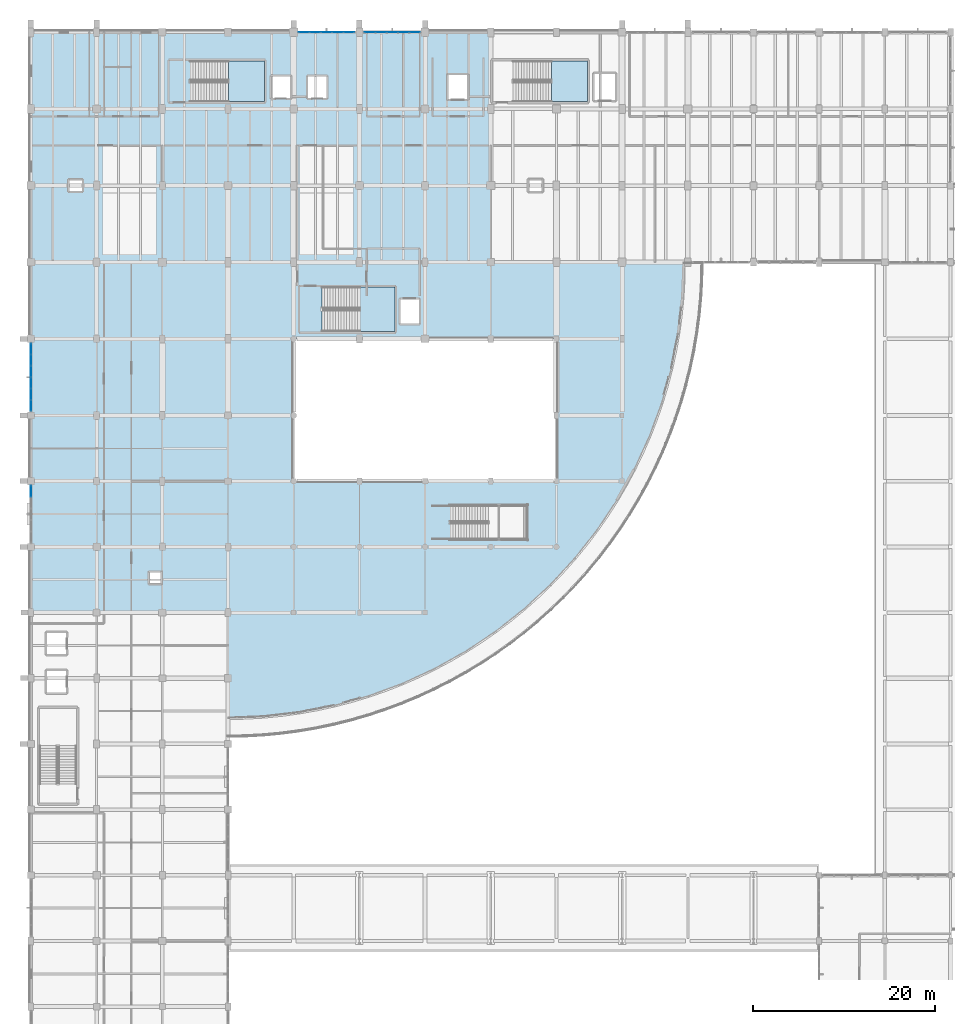
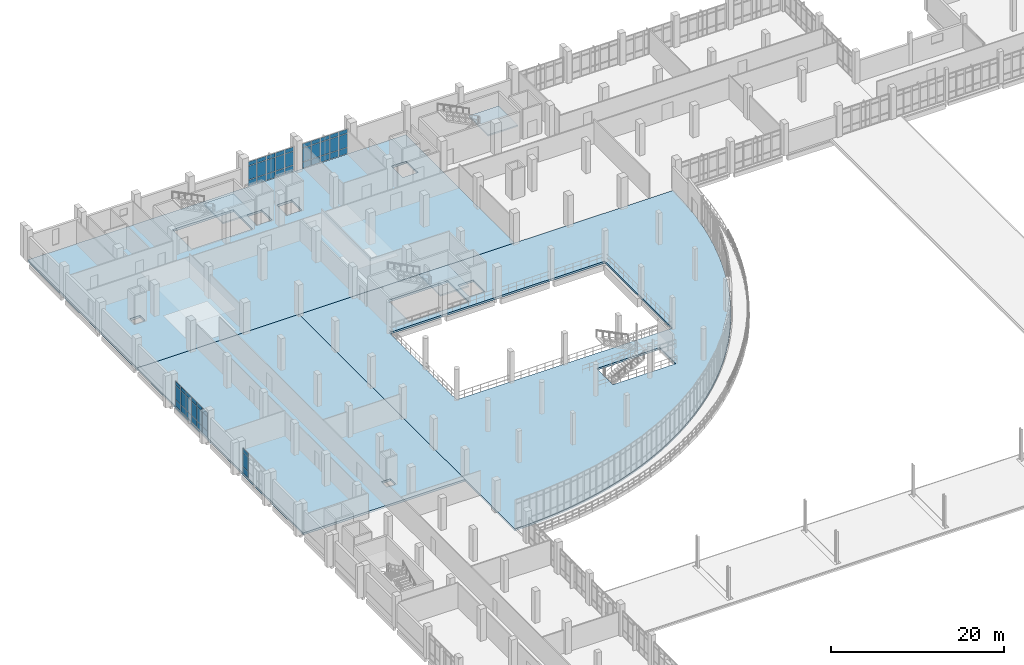
# One storey, part 103 of 134: 51 plates, 6 slabs, 7 elements without a shape of their own.
"""IFC4 building model written with IfcOpenShell, lengths in metres."""

from ifc_helpers import new_model, si_unit, direction, frame, origin, origin_2d, place, context, subcontext, project, spatial, polyline, rectangle, outline, extrude, material, layer, layer_set, type_object, element, aggregate, save


model = new_model("IFC4")

# Units and contexts
model_context = context("Model", 3, precision=1e-05, world=origin(), true_north=direction((0.0, 1.0)))
body_context = subcontext(model_context, "Body", "Model", "MODEL_VIEW")
ifc_project = project(units=[si_unit("LENGTHUNIT", "METRE"), si_unit("AREAUNIT", "SQUARE_METRE"), si_unit("VOLUMEUNIT", "CUBIC_METRE"), si_unit("PLANEANGLEUNIT", "RADIAN"), si_unit("MASSUNIT", "GRAM", prefix="KILO")], contexts=[model_context])

# Site, building, storey
site_placement = place(None, origin())
site = spatial("IfcSite", under=ifc_project, at=site_placement, CompositionType="ELEMENT")
building_placement = place(site_placement, origin())
building = spatial("IfcBuilding", under=site, at=building_placement, Name="Kalluvel Institute of Natural Sciences", CompositionType="ELEMENT")
storey_placement = place(building_placement, frame((0.0, 0.0, 5.39990234375)))
storey = spatial("IfcBuildingStorey", under=building, at=storey_placement, Name="L01", CompositionType="ELEMENT", Elevation=5.39990234375)

# Curtain wall, plates
ifc_material_1 = material(Name="Aluminium AW-6063 T6", Category="aluminium")
curtain_wall_type_1 = type_object("IfcCurtainWallType", Name="CW-WET-45", PredefinedType="USERDEFINED", material=ifc_material_1)
curtain_wall_1_placement = place(storey_placement, origin())
curtain_wall_1 = element("IfcCurtainWall", 1, at=curtain_wall_1_placement, inside=storey, type_object=curtain_wall_type_1, Name="L01 Gothic lancet curtain wall CWA-L01-X433-Y1280", ObjectType="UNITISED LANCET FACADE", PredefinedType="USERDEFINED")
ifc_material_2 = material(Name="Solar-Control Low-E Laminated Glass", Category="glass")
ifc_layer_1 = layer(ifc_material_2, 0.031982421875)
ifc_layer_set_1 = layer_set([ifc_layer_1], Name="Solar-Control Low-E Laminated Glass")
plate_type = type_object("IfcPlateType", Name="CWP-DGU-32", PredefinedType="CURTAIN_PANEL", material=ifc_layer_set_1)
plate_1_placement = place(storey_placement, frame((43.933837890625, 128.0, 0.065185546875), z_axis=(0.0, 0.0, 1.0), x_axis=(1.0, 0.0, 0.0)))
plate_1 = element("IfcPlate", 2, at=plate_1_placement, type_object=plate_type, Name="CW-01 panel 1.1", PredefinedType="CURTAIN_PANEL", context=body_context, shape_type="SweptSolid", body=[
    extrude(rectangle(XDim=1.137451171875, YDim=0.031982421875, at=origin_2d()), origin(), (0.0, 0.0, 1.0), 0.8525390625),
])
plate_2_placement = place(storey_placement, frame((43.933837890625, 128.0, 0.982666015625), z_axis=(0.0, 0.0, 1.0), x_axis=(1.0, 0.0, 0.0)))
plate_2 = element("IfcPlate", 3, at=plate_2_placement, type_object=plate_type, Name="CW-01 panel 1.2", PredefinedType="CURTAIN_PANEL", context=body_context, shape_type="SweptSolid", body=[
    extrude(rectangle(XDim=1.137451171875, YDim=0.031982421875, at=origin_2d()), origin(), (0.0, 0.0, 1.0), 1.9150390625),
])
plate_3_placement = place(storey_placement, frame((43.933837890625, 128.0, 2.96240234375), z_axis=(0.0, 0.0, 1.0), x_axis=(1.0, 0.0, 0.0)))
plate_3 = element("IfcPlate", 4, at=plate_3_placement, type_object=plate_type, Name="CW-01 panel 1.3", PredefinedType="CURTAIN_PANEL", context=body_context, shape_type="SweptSolid", body=[
    extrude(rectangle(XDim=1.137451171875, YDim=0.031982421875, at=origin_2d()), origin(), (0.0, 0.0, 1.0), 0.552490234375),
])
plate_4_placement = place(storey_placement, frame((45.152587890625, 128.0, 0.065185546875), z_axis=(0.0, 0.0, 1.0), x_axis=(1.0, 0.0, 0.0)))
plate_4 = element("IfcPlate", 5, at=plate_4_placement, type_object=plate_type, Name="CW-01 panel 2.1", PredefinedType="CURTAIN_PANEL", context=body_context, shape_type="SweptSolid", body=[
    extrude(rectangle(XDim=1.169921875, YDim=0.031982421875, at=origin_2d()), origin(), (0.0, 0.0, 1.0), 0.8525390625),
])
plate_5_placement = place(storey_placement, frame((45.152587890625, 128.0, 0.982666015625), z_axis=(0.0, 0.0, 1.0), x_axis=(1.0, 0.0, 0.0)))
plate_5 = element("IfcPlate", 6, at=plate_5_placement, type_object=plate_type, Name="CW-01 panel 2.2", PredefinedType="CURTAIN_PANEL", context=body_context, shape_type="SweptSolid", body=[
    extrude(rectangle(XDim=1.169921875, YDim=0.031982421875, at=origin_2d()), origin(), (0.0, 0.0, 1.0), 1.9150390625),
])
plate_6_placement = place(storey_placement, frame((45.152587890625, 128.0, 2.96240234375), z_axis=(0.0, 0.0, 1.0), x_axis=(1.0, 0.0, 0.0)))
plate_6 = element("IfcPlate", 7, at=plate_6_placement, type_object=plate_type, Name="CW-01 panel 2.3", PredefinedType="CURTAIN_PANEL", context=body_context, shape_type="SweptSolid", body=[
    extrude(rectangle(XDim=1.169921875, YDim=0.031982421875, at=origin_2d()), origin(), (0.0, 0.0, 1.0), 0.552490234375),
])
plate_7_placement = place(storey_placement, frame((46.387451171875, 128.0, 0.065185546875), z_axis=(0.0, 0.0, 1.0), x_axis=(1.0, 0.0, 0.0)))
plate_7 = element("IfcPlate", 8, at=plate_7_placement, type_object=plate_type, Name="CW-01 panel 3.1", PredefinedType="CURTAIN_PANEL", context=body_context, shape_type="SweptSolid", body=[
    extrude(rectangle(XDim=1.169921875, YDim=0.031982421875, at=origin_2d()), origin(), (0.0, 0.0, 1.0), 0.8525390625),
])
plate_8_placement = place(storey_placement, frame((46.387451171875, 128.0, 0.982666015625), z_axis=(0.0, 0.0, 1.0), x_axis=(1.0, 0.0, 0.0)))
plate_8 = element("IfcPlate", 9, at=plate_8_placement, type_object=plate_type, Name="CW-01 panel 3.2", PredefinedType="CURTAIN_PANEL", context=body_context, shape_type="SweptSolid", body=[
    extrude(rectangle(XDim=1.169921875, YDim=0.031982421875, at=origin_2d()), origin(), (0.0, 0.0, 1.0), 1.9150390625),
])
plate_9_placement = place(storey_placement, frame((46.387451171875, 128.0, 2.96240234375), z_axis=(0.0, 0.0, 1.0), x_axis=(1.0, 0.0, 0.0)))
plate_9 = element("IfcPlate", 10, at=plate_9_placement, type_object=plate_type, Name="CW-01 panel 3.3", PredefinedType="CURTAIN_PANEL", context=body_context, shape_type="SweptSolid", body=[
    extrude(rectangle(XDim=1.169921875, YDim=0.031982421875, at=origin_2d()), origin(), (0.0, 0.0, 1.0), 0.552490234375),
])
plate_10_placement = place(storey_placement, frame((47.62255859375, 128.0, 0.065185546875), z_axis=(0.0, 0.0, 1.0), x_axis=(1.0, 0.0, 0.0)))
plate_10 = element("IfcPlate", 11, at=plate_10_placement, type_object=plate_type, Name="CW-01 panel 4.1", PredefinedType="CURTAIN_PANEL", context=body_context, shape_type="SweptSolid", body=[
    extrude(rectangle(XDim=1.169921875, YDim=0.031982421875, at=origin_2d()), origin(), (0.0, 0.0, 1.0), 0.8525390625),
])
plate_11_placement = place(storey_placement, frame((47.62255859375, 128.0, 0.982666015625), z_axis=(0.0, 0.0, 1.0), x_axis=(1.0, 0.0, 0.0)))
plate_11 = element("IfcPlate", 12, at=plate_11_placement, type_object=plate_type, Name="CW-01 panel 4.2", PredefinedType="CURTAIN_PANEL", context=body_context, shape_type="SweptSolid", body=[
    extrude(rectangle(XDim=1.169921875, YDim=0.031982421875, at=origin_2d()), origin(), (0.0, 0.0, 1.0), 1.9150390625),
])
plate_12_placement = place(storey_placement, frame((47.62255859375, 128.0, 2.96240234375), z_axis=(0.0, 0.0, 1.0), x_axis=(1.0, 0.0, 0.0)))
plate_12 = element("IfcPlate", 13, at=plate_12_placement, type_object=plate_type, Name="CW-01 panel 4.3", PredefinedType="CURTAIN_PANEL", context=body_context, shape_type="SweptSolid", body=[
    extrude(rectangle(XDim=1.169921875, YDim=0.031982421875, at=origin_2d()), origin(), (0.0, 0.0, 1.0), 0.552490234375),
])
plate_13_placement = place(storey_placement, frame((48.84130859375, 128.0, 0.065185546875), z_axis=(0.0, 0.0, 1.0), x_axis=(1.0, 0.0, 0.0)))
plate_13 = element("IfcPlate", 14, at=plate_13_placement, type_object=plate_type, Name="CW-01 panel 5.1", PredefinedType="CURTAIN_PANEL", context=body_context, shape_type="SweptSolid", body=[
    extrude(rectangle(XDim=1.137451171875, YDim=0.031982421875, at=origin_2d()), origin(), (0.0, 0.0, 1.0), 0.8525390625),
])
plate_14_placement = place(storey_placement, frame((48.84130859375, 128.0, 0.982666015625), z_axis=(0.0, 0.0, 1.0), x_axis=(1.0, 0.0, 0.0)))
plate_14 = element("IfcPlate", 15, at=plate_14_placement, type_object=plate_type, Name="CW-01 panel 5.2", PredefinedType="CURTAIN_PANEL", context=body_context, shape_type="SweptSolid", body=[
    extrude(rectangle(XDim=1.137451171875, YDim=0.031982421875, at=origin_2d()), origin(), (0.0, 0.0, 1.0), 1.9150390625),
])
plate_15_placement = place(storey_placement, frame((48.84130859375, 128.0, 2.96240234375), z_axis=(0.0, 0.0, 1.0), x_axis=(1.0, 0.0, 0.0)))
plate_15 = element("IfcPlate", 16, at=plate_15_placement, type_object=plate_type, Name="CW-01 panel 5.3", PredefinedType="CURTAIN_PANEL", context=body_context, shape_type="SweptSolid", body=[
    extrude(rectangle(XDim=1.137451171875, YDim=0.031982421875, at=origin_2d()), origin(), (0.0, 0.0, 1.0), 0.552490234375),
])
aggregate(curtain_wall_1, [plate_1, plate_2, plate_3, plate_4, plate_5, plate_6, plate_7, plate_8, plate_9, plate_10, plate_11, plate_12, plate_13, plate_14, plate_15])

curtain_wall_2_placement = place(storey_placement, origin())
curtain_wall_2 = element("IfcCurtainWall", 17, at=curtain_wall_2_placement, inside=storey, type_object=curtain_wall_type_1, Name="L01 Gothic lancet curtain wall CWA-L01-X505-Y1280", ObjectType="UNITISED LANCET FACADE", PredefinedType="USERDEFINED")
plate_16_placement = place(storey_placement, frame((51.15869140625, 128.0, 0.065185546875), z_axis=(0.0, 0.0, 1.0), x_axis=(1.0, 0.0, 0.0)))
plate_16 = element("IfcPlate", 18, at=plate_16_placement, type_object=plate_type, Name="CW-01 panel 1.1", PredefinedType="CURTAIN_PANEL", context=body_context, shape_type="SweptSolid", body=[
    extrude(rectangle(XDim=1.137451171875, YDim=0.031982421875, at=origin_2d()), origin(), (0.0, 0.0, 1.0), 0.8525390625),
])
plate_17_placement = place(storey_placement, frame((51.15869140625, 128.0, 0.982666015625), z_axis=(0.0, 0.0, 1.0), x_axis=(1.0, 0.0, 0.0)))
plate_17 = element("IfcPlate", 19, at=plate_17_placement, type_object=plate_type, Name="CW-01 panel 1.2", PredefinedType="CURTAIN_PANEL", context=body_context, shape_type="SweptSolid", body=[
    extrude(rectangle(XDim=1.137451171875, YDim=0.031982421875, at=origin_2d()), origin(), (0.0, 0.0, 1.0), 1.9150390625),
])
plate_18_placement = place(storey_placement, frame((51.15869140625, 128.0, 2.96240234375), z_axis=(0.0, 0.0, 1.0), x_axis=(1.0, 0.0, 0.0)))
plate_18 = element("IfcPlate", 20, at=plate_18_placement, type_object=plate_type, Name="CW-01 panel 1.3", PredefinedType="CURTAIN_PANEL", context=body_context, shape_type="SweptSolid", body=[
    extrude(rectangle(XDim=1.137451171875, YDim=0.031982421875, at=origin_2d()), origin(), (0.0, 0.0, 1.0), 0.552490234375),
])
plate_19_placement = place(storey_placement, frame((52.37744140625, 128.0, 0.065185546875), z_axis=(0.0, 0.0, 1.0), x_axis=(1.0, 0.0, 0.0)))
plate_19 = element("IfcPlate", 21, at=plate_19_placement, type_object=plate_type, Name="CW-01 panel 2.1", PredefinedType="CURTAIN_PANEL", context=body_context, shape_type="SweptSolid", body=[
    extrude(rectangle(XDim=1.169921875, YDim=0.031982421875, at=origin_2d()), origin(), (0.0, 0.0, 1.0), 0.8525390625),
])
plate_20_placement = place(storey_placement, frame((52.37744140625, 128.0, 0.982666015625), z_axis=(0.0, 0.0, 1.0), x_axis=(1.0, 0.0, 0.0)))
plate_20 = element("IfcPlate", 22, at=plate_20_placement, type_object=plate_type, Name="CW-01 panel 2.2", PredefinedType="CURTAIN_PANEL", context=body_context, shape_type="SweptSolid", body=[
    extrude(rectangle(XDim=1.169921875, YDim=0.031982421875, at=origin_2d()), origin(), (0.0, 0.0, 1.0), 1.9150390625),
])
plate_21_placement = place(storey_placement, frame((52.37744140625, 128.0, 2.96240234375), z_axis=(0.0, 0.0, 1.0), x_axis=(1.0, 0.0, 0.0)))
plate_21 = element("IfcPlate", 23, at=plate_21_placement, type_object=plate_type, Name="CW-01 panel 2.3", PredefinedType="CURTAIN_PANEL", context=body_context, shape_type="SweptSolid", body=[
    extrude(rectangle(XDim=1.169921875, YDim=0.031982421875, at=origin_2d()), origin(), (0.0, 0.0, 1.0), 0.552490234375),
])
plate_22_placement = place(storey_placement, frame((53.612548828125, 128.0, 0.065185546875), z_axis=(0.0, 0.0, 1.0), x_axis=(1.0, 0.0, 0.0)))
plate_22 = element("IfcPlate", 24, at=plate_22_placement, type_object=plate_type, Name="CW-01 panel 3.1", PredefinedType="CURTAIN_PANEL", context=body_context, shape_type="SweptSolid", body=[
    extrude(rectangle(XDim=1.169921875, YDim=0.031982421875, at=origin_2d()), origin(), (0.0, 0.0, 1.0), 0.8525390625),
])
plate_23_placement = place(storey_placement, frame((53.612548828125, 128.0, 0.982666015625), z_axis=(0.0, 0.0, 1.0), x_axis=(1.0, 0.0, 0.0)))
plate_23 = element("IfcPlate", 25, at=plate_23_placement, type_object=plate_type, Name="CW-01 panel 3.2", PredefinedType="CURTAIN_PANEL", context=body_context, shape_type="SweptSolid", body=[
    extrude(rectangle(XDim=1.169921875, YDim=0.031982421875, at=origin_2d()), origin(), (0.0, 0.0, 1.0), 1.9150390625),
])
plate_24_placement = place(storey_placement, frame((53.612548828125, 128.0, 2.96240234375), z_axis=(0.0, 0.0, 1.0), x_axis=(1.0, 0.0, 0.0)))
plate_24 = element("IfcPlate", 26, at=plate_24_placement, type_object=plate_type, Name="CW-01 panel 3.3", PredefinedType="CURTAIN_PANEL", context=body_context, shape_type="SweptSolid", body=[
    extrude(rectangle(XDim=1.169921875, YDim=0.031982421875, at=origin_2d()), origin(), (0.0, 0.0, 1.0), 0.552490234375),
])
plate_25_placement = place(storey_placement, frame((54.847412109375, 128.0, 0.065185546875), z_axis=(0.0, 0.0, 1.0), x_axis=(1.0, 0.0, 0.0)))
plate_25 = element("IfcPlate", 27, at=plate_25_placement, type_object=plate_type, Name="CW-01 panel 4.1", PredefinedType="CURTAIN_PANEL", context=body_context, shape_type="SweptSolid", body=[
    extrude(rectangle(XDim=1.169921875, YDim=0.031982421875, at=origin_2d()), origin(), (0.0, 0.0, 1.0), 0.8525390625),
])
plate_26_placement = place(storey_placement, frame((54.847412109375, 128.0, 0.982666015625), z_axis=(0.0, 0.0, 1.0), x_axis=(1.0, 0.0, 0.0)))
plate_26 = element("IfcPlate", 28, at=plate_26_placement, type_object=plate_type, Name="CW-01 panel 4.2", PredefinedType="CURTAIN_PANEL", context=body_context, shape_type="SweptSolid", body=[
    extrude(rectangle(XDim=1.169921875, YDim=0.031982421875, at=origin_2d()), origin(), (0.0, 0.0, 1.0), 1.9150390625),
])
plate_27_placement = place(storey_placement, frame((54.847412109375, 128.0, 2.96240234375), z_axis=(0.0, 0.0, 1.0), x_axis=(1.0, 0.0, 0.0)))
plate_27 = element("IfcPlate", 29, at=plate_27_placement, type_object=plate_type, Name="CW-01 panel 4.3", PredefinedType="CURTAIN_PANEL", context=body_context, shape_type="SweptSolid", body=[
    extrude(rectangle(XDim=1.169921875, YDim=0.031982421875, at=origin_2d()), origin(), (0.0, 0.0, 1.0), 0.552490234375),
])
plate_28_placement = place(storey_placement, frame((56.066162109375, 128.0, 0.065185546875), z_axis=(0.0, 0.0, 1.0), x_axis=(1.0, 0.0, 0.0)))
plate_28 = element("IfcPlate", 30, at=plate_28_placement, type_object=plate_type, Name="CW-01 panel 5.1", PredefinedType="CURTAIN_PANEL", context=body_context, shape_type="SweptSolid", body=[
    extrude(rectangle(XDim=1.137451171875, YDim=0.031982421875, at=origin_2d()), origin(), (0.0, 0.0, 1.0), 0.8525390625),
])
plate_29_placement = place(storey_placement, frame((56.066162109375, 128.0, 0.982666015625), z_axis=(0.0, 0.0, 1.0), x_axis=(1.0, 0.0, 0.0)))
plate_29 = element("IfcPlate", 31, at=plate_29_placement, type_object=plate_type, Name="CW-01 panel 5.2", PredefinedType="CURTAIN_PANEL", context=body_context, shape_type="SweptSolid", body=[
    extrude(rectangle(XDim=1.137451171875, YDim=0.031982421875, at=origin_2d()), origin(), (0.0, 0.0, 1.0), 1.9150390625),
])
plate_30_placement = place(storey_placement, frame((56.066162109375, 128.0, 2.96240234375), z_axis=(0.0, 0.0, 1.0), x_axis=(1.0, 0.0, 0.0)))
plate_30 = element("IfcPlate", 32, at=plate_30_placement, type_object=plate_type, Name="CW-01 panel 5.3", PredefinedType="CURTAIN_PANEL", context=body_context, shape_type="SweptSolid", body=[
    extrude(rectangle(XDim=1.137451171875, YDim=0.031982421875, at=origin_2d()), origin(), (0.0, 0.0, 1.0), 0.552490234375),
])
aggregate(curtain_wall_2, [plate_16, plate_17, plate_18, plate_19, plate_20, plate_21, plate_22, plate_23, plate_24, plate_25, plate_26, plate_27, plate_28, plate_29, plate_30])

curtain_wall_type_2 = type_object("IfcCurtainWallType", Name="CW-DRY-45", PredefinedType="USERDEFINED", material=ifc_material_1)
curtain_wall_3_placement = place(storey_placement, origin())
curtain_wall_3 = element("IfcCurtainWall", 33, at=curtain_wall_3_placement, inside=storey, type_object=curtain_wall_type_2, Name="L01 Gothic lancet curtain wall CWA-L01-X140-Y720", ObjectType="UNITISED LANCET FACADE", PredefinedType="USERDEFINED")
plate_31_placement = place(storey_placement, frame((14.0, 77.701171875, 0.065185546875), z_axis=(0.0, 0.0, 1.0), x_axis=(0.0, 1.0, 0.0)))
plate_31 = element("IfcPlate", 34, at=plate_31_placement, type_object=plate_type, Name="CW-03 panel 5.1", PredefinedType="CURTAIN_PANEL", context=body_context, shape_type="SweptSolid", body=[
    extrude(rectangle(XDim=1.16748046875, YDim=0.031982421875, at=origin_2d()), origin(), (0.0, 0.0, 1.0), 0.8525390625),
])
plate_32_placement = place(storey_placement, frame((14.0, 77.701171875, 0.982666015625), z_axis=(0.0, 0.0, 1.0), x_axis=(0.0, 1.0, 0.0)))
plate_32 = element("IfcPlate", 35, at=plate_32_placement, type_object=plate_type, Name="CW-03 panel 5.2", PredefinedType="CURTAIN_PANEL", context=body_context, shape_type="SweptSolid", body=[
    extrude(rectangle(XDim=1.16748046875, YDim=0.031982421875, at=origin_2d()), origin(), (0.0, 0.0, 1.0), 1.955078125),
])
plate_33_placement = place(storey_placement, frame((14.0, 77.701171875, 3.00244140625), z_axis=(0.0, 0.0, 1.0), x_axis=(0.0, 1.0, 0.0)))
plate_33 = element("IfcPlate", 36, at=plate_33_placement, type_object=plate_type, Name="CW-03 panel 5.3", PredefinedType="CURTAIN_PANEL", context=body_context, shape_type="SweptSolid", body=[
    extrude(rectangle(XDim=1.16748046875, YDim=0.031982421875, at=origin_2d()), origin(), (0.0, 0.0, 1.0), 0.552490234375),
])
aggregate(curtain_wall_3, [plate_31, plate_32, plate_33])

curtain_wall_4_placement = place(storey_placement, origin())
curtain_wall_4 = element("IfcCurtainWall", 37, at=curtain_wall_4_placement, inside=storey, type_object=curtain_wall_type_2, Name="L01 Gothic lancet curtain wall CWA-L01-X140-Y864", ObjectType="UNITISED LANCET FACADE", PredefinedType="USERDEFINED")
plate_34_placement = place(storey_placement, frame((14.0, 87.09130859375, 0.065185546875), z_axis=(0.0, 0.0, 1.0), x_axis=(0.0, 1.0, 0.0)))
plate_34 = element("IfcPlate", 38, at=plate_34_placement, type_object=plate_type, Name="CW-03 panel 1.1", PredefinedType="CURTAIN_PANEL", context=body_context, shape_type="SweptSolid", body=[
    extrude(rectangle(XDim=1.152587890625, YDim=0.031982421875, at=origin_2d()), origin(), (0.0, 0.0, 1.0), 0.8525390625),
])
plate_35_placement = place(storey_placement, frame((14.0, 87.09130859375, 0.982666015625), z_axis=(0.0, 0.0, 1.0), x_axis=(0.0, 1.0, 0.0)))
plate_35 = element("IfcPlate", 39, at=plate_35_placement, type_object=plate_type, Name="CW-03 panel 1.2", PredefinedType="CURTAIN_PANEL", context=body_context, shape_type="SweptSolid", body=[
    extrude(rectangle(XDim=1.152587890625, YDim=0.031982421875, at=origin_2d()), origin(), (0.0, 0.0, 1.0), 1.955078125),
])
plate_36_placement = place(storey_placement, frame((14.0, 87.09130859375, 3.00244140625), z_axis=(0.0, 0.0, 1.0), x_axis=(0.0, 1.0, 0.0)))
plate_36 = element("IfcPlate", 40, at=plate_36_placement, type_object=plate_type, Name="CW-03 panel 1.3", PredefinedType="CURTAIN_PANEL", context=body_context, shape_type="SweptSolid", body=[
    extrude(rectangle(XDim=1.152587890625, YDim=0.031982421875, at=origin_2d()), origin(), (0.0, 0.0, 1.0), 0.552490234375),
])
plate_37_placement = place(storey_placement, frame((14.0, 88.324951171875, 0.065185546875), z_axis=(0.0, 0.0, 1.0), x_axis=(0.0, 1.0, 0.0)))
plate_37 = element("IfcPlate", 41, at=plate_37_placement, type_object=plate_type, Name="CW-03 panel 2.1", PredefinedType="CURTAIN_PANEL", context=body_context, shape_type="SweptSolid", body=[
    extrude(rectangle(XDim=1.18505859375, YDim=0.031982421875, at=origin_2d()), origin(), (0.0, 0.0, 1.0), 0.8525390625),
])
plate_38_placement = place(storey_placement, frame((14.0, 88.324951171875, 0.982666015625), z_axis=(0.0, 0.0, 1.0), x_axis=(0.0, 1.0, 0.0)))
plate_38 = element("IfcPlate", 42, at=plate_38_placement, type_object=plate_type, Name="CW-03 panel 2.2", PredefinedType="CURTAIN_PANEL", context=body_context, shape_type="SweptSolid", body=[
    extrude(rectangle(XDim=1.18505859375, YDim=0.031982421875, at=origin_2d()), origin(), (0.0, 0.0, 1.0), 1.955078125),
])
plate_39_placement = place(storey_placement, frame((14.0, 88.324951171875, 3.00244140625), z_axis=(0.0, 0.0, 1.0), x_axis=(0.0, 1.0, 0.0)))
plate_39 = element("IfcPlate", 43, at=plate_39_placement, type_object=plate_type, Name="CW-03 panel 2.3", PredefinedType="CURTAIN_PANEL", context=body_context, shape_type="SweptSolid", body=[
    extrude(rectangle(XDim=1.18505859375, YDim=0.031982421875, at=origin_2d()), origin(), (0.0, 0.0, 1.0), 0.552490234375),
])
plate_40_placement = place(storey_placement, frame((14.0, 89.574951171875, 0.065185546875), z_axis=(0.0, 0.0, 1.0), x_axis=(0.0, 1.0, 0.0)))
plate_40 = element("IfcPlate", 44, at=plate_40_placement, type_object=plate_type, Name="CW-03 panel 3.1", PredefinedType="CURTAIN_PANEL", context=body_context, shape_type="SweptSolid", body=[
    extrude(rectangle(XDim=1.18505859375, YDim=0.031982421875, at=origin_2d()), origin(), (0.0, 0.0, 1.0), 0.8525390625),
])
plate_41_placement = place(storey_placement, frame((14.0, 89.574951171875, 0.982666015625), z_axis=(0.0, 0.0, 1.0), x_axis=(0.0, 1.0, 0.0)))
plate_41 = element("IfcPlate", 45, at=plate_41_placement, type_object=plate_type, Name="CW-03 panel 3.2", PredefinedType="CURTAIN_PANEL", context=body_context, shape_type="SweptSolid", body=[
    extrude(rectangle(XDim=1.18505859375, YDim=0.031982421875, at=origin_2d()), origin(), (0.0, 0.0, 1.0), 1.955078125),
])
plate_42_placement = place(storey_placement, frame((14.0, 89.574951171875, 3.00244140625), z_axis=(0.0, 0.0, 1.0), x_axis=(0.0, 1.0, 0.0)))
plate_42 = element("IfcPlate", 46, at=plate_42_placement, type_object=plate_type, Name="CW-03 panel 3.3", PredefinedType="CURTAIN_PANEL", context=body_context, shape_type="SweptSolid", body=[
    extrude(rectangle(XDim=1.18505859375, YDim=0.031982421875, at=origin_2d()), origin(), (0.0, 0.0, 1.0), 0.552490234375),
])
plate_43_placement = place(storey_placement, frame((14.0, 90.824951171875, 0.065185546875), z_axis=(0.0, 0.0, 1.0), x_axis=(0.0, 1.0, 0.0)))
plate_43 = element("IfcPlate", 47, at=plate_43_placement, type_object=plate_type, Name="CW-03 panel 4.1", PredefinedType="CURTAIN_PANEL", context=body_context, shape_type="SweptSolid", body=[
    extrude(rectangle(XDim=1.18505859375, YDim=0.031982421875, at=origin_2d()), origin(), (0.0, 0.0, 1.0), 0.8525390625),
])
plate_44_placement = place(storey_placement, frame((14.0, 90.824951171875, 0.982666015625), z_axis=(0.0, 0.0, 1.0), x_axis=(0.0, 1.0, 0.0)))
plate_44 = element("IfcPlate", 48, at=plate_44_placement, type_object=plate_type, Name="CW-03 panel 4.2", PredefinedType="CURTAIN_PANEL", context=body_context, shape_type="SweptSolid", body=[
    extrude(rectangle(XDim=1.18505859375, YDim=0.031982421875, at=origin_2d()), origin(), (0.0, 0.0, 1.0), 1.955078125),
])
plate_45_placement = place(storey_placement, frame((14.0, 90.824951171875, 3.00244140625), z_axis=(0.0, 0.0, 1.0), x_axis=(0.0, 1.0, 0.0)))
plate_45 = element("IfcPlate", 49, at=plate_45_placement, type_object=plate_type, Name="CW-03 panel 4.3", PredefinedType="CURTAIN_PANEL", context=body_context, shape_type="SweptSolid", body=[
    extrude(rectangle(XDim=1.18505859375, YDim=0.031982421875, at=origin_2d()), origin(), (0.0, 0.0, 1.0), 0.552490234375),
])
plate_46_placement = place(storey_placement, frame((14.0, 92.074951171875, 0.065185546875), z_axis=(0.0, 0.0, 1.0), x_axis=(0.0, 1.0, 0.0)))
plate_46 = element("IfcPlate", 50, at=plate_46_placement, type_object=plate_type, Name="CW-03 panel 5.1", PredefinedType="CURTAIN_PANEL", context=body_context, shape_type="SweptSolid", body=[
    extrude(rectangle(XDim=1.18505859375, YDim=0.031982421875, at=origin_2d()), origin(), (0.0, 0.0, 1.0), 0.8525390625),
])
plate_47_placement = place(storey_placement, frame((14.0, 92.074951171875, 0.982666015625), z_axis=(0.0, 0.0, 1.0), x_axis=(0.0, 1.0, 0.0)))
plate_47 = element("IfcPlate", 51, at=plate_47_placement, type_object=plate_type, Name="CW-03 panel 5.2", PredefinedType="CURTAIN_PANEL", context=body_context, shape_type="SweptSolid", body=[
    extrude(rectangle(XDim=1.18505859375, YDim=0.031982421875, at=origin_2d()), origin(), (0.0, 0.0, 1.0), 1.955078125),
])
plate_48_placement = place(storey_placement, frame((14.0, 92.074951171875, 3.00244140625), z_axis=(0.0, 0.0, 1.0), x_axis=(0.0, 1.0, 0.0)))
plate_48 = element("IfcPlate", 52, at=plate_48_placement, type_object=plate_type, Name="CW-03 panel 5.3", PredefinedType="CURTAIN_PANEL", context=body_context, shape_type="SweptSolid", body=[
    extrude(rectangle(XDim=1.18505859375, YDim=0.031982421875, at=origin_2d()), origin(), (0.0, 0.0, 1.0), 0.552490234375),
])
plate_49_placement = place(storey_placement, frame((14.0, 93.308837890625, 0.065185546875), z_axis=(0.0, 0.0, 1.0), x_axis=(0.0, 1.0, 0.0)))
plate_49 = element("IfcPlate", 53, at=plate_49_placement, type_object=plate_type, Name="CW-03 panel 6.1", PredefinedType="CURTAIN_PANEL", context=body_context, shape_type="SweptSolid", body=[
    extrude(rectangle(XDim=1.152587890625, YDim=0.031982421875, at=origin_2d()), origin(), (0.0, 0.0, 1.0), 0.8525390625),
])
plate_50_placement = place(storey_placement, frame((14.0, 93.308837890625, 0.982666015625), z_axis=(0.0, 0.0, 1.0), x_axis=(0.0, 1.0, 0.0)))
plate_50 = element("IfcPlate", 54, at=plate_50_placement, type_object=plate_type, Name="CW-03 panel 6.2", PredefinedType="CURTAIN_PANEL", context=body_context, shape_type="SweptSolid", body=[
    extrude(rectangle(XDim=1.152587890625, YDim=0.031982421875, at=origin_2d()), origin(), (0.0, 0.0, 1.0), 1.955078125),
])
plate_51_placement = place(storey_placement, frame((14.0, 93.308837890625, 3.00244140625), z_axis=(0.0, 0.0, 1.0), x_axis=(0.0, 1.0, 0.0)))
plate_51 = element("IfcPlate", 55, at=plate_51_placement, type_object=plate_type, Name="CW-03 panel 6.3", PredefinedType="CURTAIN_PANEL", context=body_context, shape_type="SweptSolid", body=[
    extrude(rectangle(XDim=1.152587890625, YDim=0.031982421875, at=origin_2d()), origin(), (0.0, 0.0, 1.0), 0.552490234375),
])
aggregate(curtain_wall_4, [plate_34, plate_35, plate_36, plate_37, plate_38, plate_39, plate_40, plate_41, plate_42, plate_43, plate_44, plate_45, plate_46, plate_47, plate_48, plate_49, plate_50, plate_51])

# Slabs
ifc_material_3 = material(Name="Concrete M40", Category="concrete")
ifc_layer_2 = layer(ifc_material_3, 0.280029296875)
ifc_layer_set_2 = layer_set([ifc_layer_2], Name="Concrete M40")
slab_type_1 = type_object("IfcSlabType", Name="SLB-ATR-280", PredefinedType="FLOOR", material=ifc_layer_set_2)
slab_1_placement = place(storey_placement, frame((0.0, 0.0, -0.27978515625)))
element("IfcSlab", 56, at=slab_1_placement, inside=storey, type_object=slab_type_1, Name="L01 Interaction Atrium Gallery Slab", PredefinedType="FLOOR", context=body_context, shape_type="SweptSolid", body=[
    extrude(outline(polyline([(35.60009765625, 102.800048828125), (35.60009765625, 52.85009765625), (37.56103515625, 52.888427734375), (39.51904296875, 53.00390625), (41.470947265625, 53.1962890625), (43.413818359375, 53.465087890625), (45.3447265625, 53.809814453125), (47.260498046875, 54.22998046875), (49.158447265625, 54.725341796875), (51.035400390625, 55.294677734375), (52.888427734375, 55.937255859375), (54.715087890625, 56.652099609375), (56.51220703125, 57.438232421875), (58.27685546875, 58.294189453125), (60.006591796875, 59.21875), (61.69873046875, 60.210693359375), (63.3505859375, 61.26806640625), (64.9599609375, 62.3896484375), (66.523681640625, 63.573486328125), (68.039794921875, 64.817626953125), (69.506103515625, 66.12060546875), (70.919921875, 67.47998046875), (72.279296875, 68.893798828125), (73.582275390625, 70.360107421875), (74.82666015625, 71.876220703125), (76.010498046875, 73.440185546875), (77.1318359375, 75.04931640625), (78.189453125, 76.701171875), (79.18115234375, 78.393310546875), (80.105712890625, 80.123291015625), (80.9619140625, 81.887939453125), (81.747802734375, 83.68505859375), (82.462646484375, 85.511474609375), (83.105224609375, 87.364501953125), (83.674560546875, 89.241455078125), (84.169921875, 91.139404296875), (84.590087890625, 93.05517578125), (84.93505859375, 94.986083984375), (85.203857421875, 96.928955078125), (85.39599609375, 98.881103515625), (85.511474609375, 100.839111328125), (85.550048828125, 102.800048828125), (35.60009765625, 102.800048828125)]), holes=[polyline([(45.91796875, 95.199951171875), (53.89990234375, 95.199951171875), (53.89990234375, 100.070068359375), (45.91796875, 100.070068359375), (45.91796875, 95.199951171875)]), polyline([(59.968017578125, 72.39990234375), (68.39990234375, 72.39990234375), (68.39990234375, 76.14990234375), (59.968017578125, 76.14990234375), (59.968017578125, 72.39990234375)]), polyline([(54.47998046875, 96.080078125), (56.52001953125, 96.080078125), (56.52001953125, 98.719970703125), (54.47998046875, 98.719970703125), (54.47998046875, 96.080078125)]), polyline([(42.800048828125, 78.800048828125), (71.60009765625, 78.800048828125), (71.60009765625, 94.39990234375), (42.800048828125, 94.39990234375), (42.800048828125, 78.800048828125)])]), origin(), (0.0, 0.0, 1.0), 0.27978515625),
])
ifc_layer_3 = layer(ifc_material_3, 0.300048828125)
ifc_layer_set_3 = layer_set([ifc_layer_3], Name="Concrete M40")
slab_type_2 = type_object("IfcSlabType", Name="SLB-DRY-300", PredefinedType="FLOOR", material=ifc_layer_set_3)
slab_2_placement = place(storey_placement, frame((0.0, 0.0, -0.2998046875)))
element("IfcSlab", 57, at=slab_2_placement, inside=storey, type_object=slab_type_2, Name="L01 Dry Laboratory Floor Slab N", PredefinedType="FLOOR", context=body_context, shape_type="SweptSolid", body=[
    extrude(outline(polyline([(14.0, 64.39990234375), (35.60009765625, 64.39990234375), (35.60009765625, 102.800048828125), (14.0, 102.800048828125), (14.0, 64.39990234375)]), holes=[polyline([(27.0, 67.60009765625), (27.0, 68.800048828125), (28.199951171875, 68.800048828125), (28.199951171875, 67.60009765625), (27.0, 67.60009765625)])]), origin(), (0.0, 0.0, 1.0), 0.2998046875),
])
ifc_layer_4 = layer(ifc_material_3, 0.320068359375)
ifc_layer_set_4 = layer_set([ifc_layer_4], Name="Concrete M40")
slab_type_3 = type_object("IfcSlabType", Name="SLB-WET-320", PredefinedType="FLOOR", material=ifc_layer_set_4)
slab_3_placement = place(storey_placement, frame((0.0, 0.0, -0.31982421875)))
element("IfcSlab", 58, at=slab_3_placement, inside=storey, type_object=slab_type_3, Name="L01 Wet Laboratory Waffle Floor Slab W", PredefinedType="FLOOR", context=body_context, shape_type="SweptSolid", body=[
    extrude(outline(polyline([(14.0, 102.800048828125), (64.39990234375, 102.800048828125), (64.39990234375, 128.0), (14.0, 128.0), (14.0, 102.800048828125)]), holes=[polyline([(61.820068359375, 120.679931640625), (59.780029296875, 120.679931640625), (59.780029296875, 123.320068359375), (61.820068359375, 123.320068359375), (61.820068359375, 120.679931640625)]), polyline([(46.419921875, 123.169921875), (46.419921875, 120.830078125), (44.3798828125, 120.830078125), (44.3798828125, 123.169921875), (46.419921875, 123.169921875)]), polyline([(42.419921875, 123.169921875), (42.419921875, 120.830078125), (40.3798828125, 120.830078125), (40.3798828125, 123.169921875), (42.419921875, 123.169921875)]), polyline([(39.60009765625, 120.39990234375), (31.468017578125, 120.39990234375), (31.468017578125, 124.8701171875), (39.60009765625, 124.8701171875), (39.60009765625, 120.39990234375)]), polyline([(19.60009765625, 111.800048828125), (19.60009765625, 110.60009765625), (18.199951171875, 110.60009765625), (18.199951171875, 111.800048828125), (19.60009765625, 111.800048828125)])]), origin(), (0.0, 0.0, 1.0), 0.31982421875),
])

# Stair, slab
stair_type_1 = type_object("IfcStairType", Name="STR-ST12-45", PredefinedType="HALF_TURN_STAIR", material=ifc_material_3)
stair_1_placement = place(storey_placement, origin())
stair_1 = element("IfcStair", 59, at=stair_1_placement, inside=storey, type_object=stair_type_1, Name="L01 Wet Wing West Protected Exit Stair ST1", PredefinedType="HALF_TURN_STAIR")
ifc_layer_5 = layer(ifc_material_3, 0.199951171875)
ifc_layer_set_5 = layer_set([ifc_layer_5], Name="Concrete M40")
slab_type_4 = type_object("IfcSlabType", Name="SLD-ST12", PredefinedType="LANDING", material=ifc_layer_set_5)
slab_4_placement = place(storey_placement, frame((0.0, 0.0, 2.050048828125)))
slab_4 = element("IfcSlab", 60, at=slab_4_placement, type_object=slab_type_4, Name="S1-45 landing 1", PredefinedType="LANDING", context=body_context, shape_type="SweptSolid", body=[
    extrude(outline(polyline([(35.632080078125, 120.39990234375), (39.60009765625, 120.39990234375), (39.60009765625, 124.8701171875), (35.632080078125, 124.8701171875), (35.632080078125, 120.39990234375)])), origin(), (0.0, 0.0, 1.0), 0.199951171875),
])
aggregate(stair_1, [slab_4])

stair_2_placement = place(storey_placement, origin())
stair_2 = element("IfcStair", 61, at=stair_2_placement, inside=storey, type_object=stair_type_1, Name="L01 Wet Wing East Protected Exit Stair ST2", PredefinedType="HALF_TURN_STAIR")
slab_5_placement = place(storey_placement, frame((0.0, 0.0, 2.050048828125)))
slab_5 = element("IfcSlab", 62, at=slab_5_placement, type_object=slab_type_4, Name="S1-45 landing 1", PredefinedType="LANDING", context=body_context, shape_type="SweptSolid", body=[
    extrude(outline(polyline([(71.031982421875, 120.39990234375), (75.0, 120.39990234375), (75.0, 124.8701171875), (71.031982421875, 124.8701171875), (71.031982421875, 120.39990234375)])), origin(), (0.0, 0.0, 1.0), 0.199951171875),
])
aggregate(stair_2, [slab_5])

stair_type_2 = type_object("IfcStairType", Name="STR-ST3-45", PredefinedType="HALF_TURN_STAIR", material=ifc_material_3)
stair_3_placement = place(storey_placement, origin())
stair_3 = element("IfcStair", 63, at=stair_3_placement, inside=storey, type_object=stair_type_2, Name="L01 Central Fire-Tower Protected Stair ST3", PredefinedType="HALF_TURN_STAIR")
ifc_layer_6 = layer(ifc_material_3, 0.199951171875)
ifc_layer_set_6 = layer_set([ifc_layer_6], Name="Concrete M40")
slab_type_5 = type_object("IfcSlabType", Name="SLD-ST3", PredefinedType="LANDING", material=ifc_layer_set_6)
slab_6_placement = place(storey_placement, frame((0.0, 0.0, 2.050048828125)))
slab_6 = element("IfcSlab", 64, at=slab_6_placement, type_object=slab_type_5, Name="S3-45 landing 1", PredefinedType="LANDING", context=body_context, shape_type="SweptSolid", body=[
    extrude(outline(polyline([(50.08203125, 95.199951171875), (53.89990234375, 95.199951171875), (53.89990234375, 100.070068359375), (50.08203125, 100.070068359375), (50.08203125, 95.199951171875)])), origin(), (0.0, 0.0, 1.0), 0.199951171875),
])
aggregate(stair_3, [slab_6])

save(model, "model.ifc")
